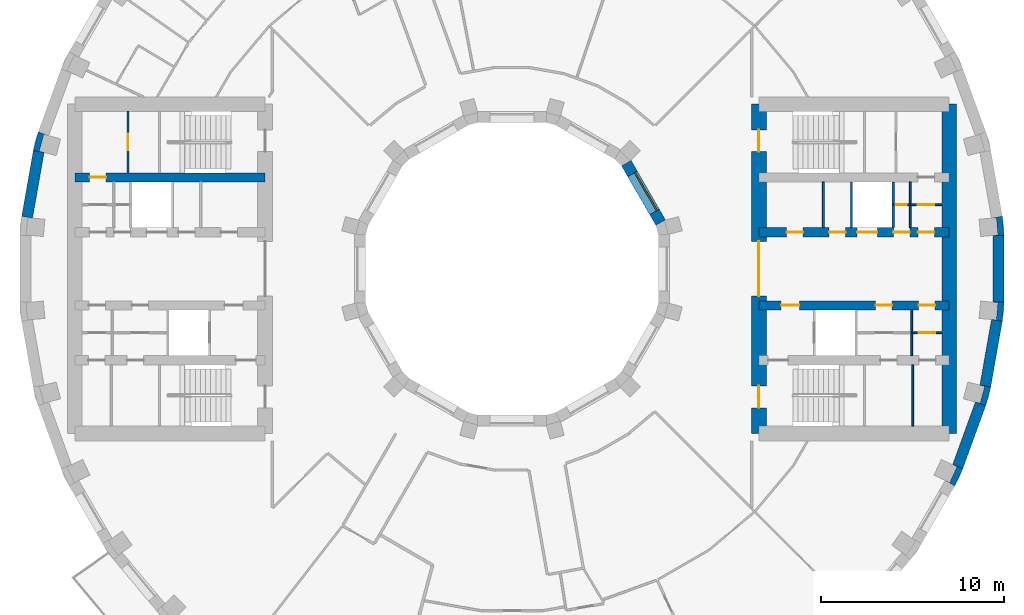
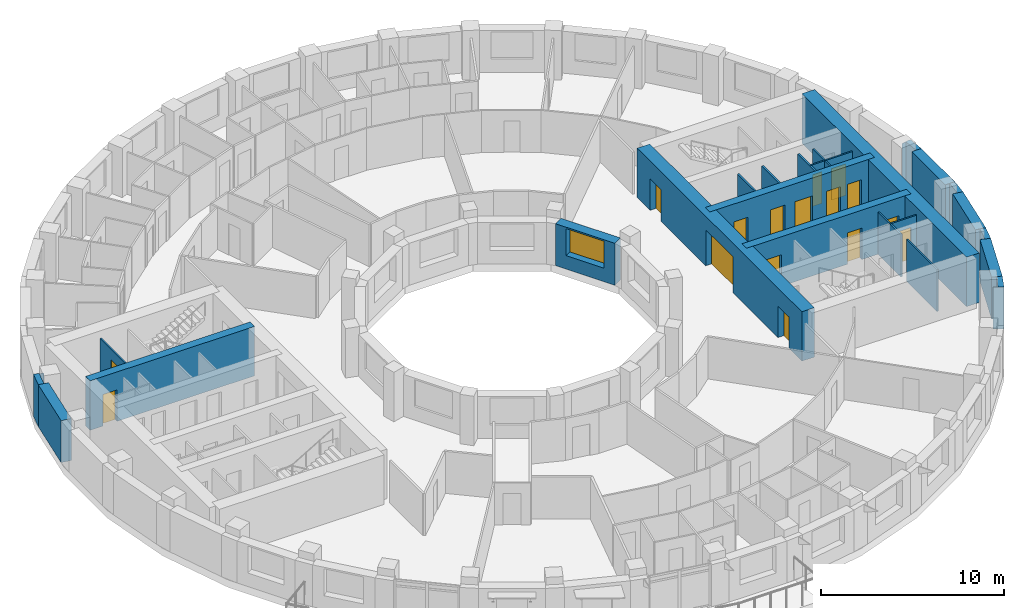
# One storey, part 8 of 14: 25 walls, 16 doors, 1 window, 17 openings.
"""IFC4 building model written with IfcOpenShell, lengths in metres."""

import ifcopenshell
import ifcopenshell.guid

model = None  # the IFC model being written
_history = None  # IfcOwnerHistory: only IFC2X3 demands one
_inside = {}  # id of a spatial element -> (the spatial element, [elements in it])
_under = {}  # id of a project, library or spatial element -> (it, [spatial elements below it])
_declared = {}  # id of a project -> (the project, [libraries it declares])
_typed = {}  # id of a type object -> (the type object, [elements of that type])
_made_of = {}  # id of a material, layer set ... -> (it, [elements and type objects made of it])


def new_model(schema):
    """Start an empty IFC model of exactly this schema.

    Asked for "IFC4X3", IfcOpenShell would pick the latest addendum, in which some entities
    have other attributes; the version numbers below select the first issue.
    IFC2X3 requires an IfcOwnerHistory on every rooted entity: one is made here for all.
    """
    global model, _history
    if schema == "IFC4X3":
        model = ifcopenshell.file(schema_version=(4, 3, 0, 0))
    else:
        model = ifcopenshell.file(schema=schema)
    _inside.clear()
    _under.clear()
    _declared.clear()
    _typed.clear()
    _made_of.clear()
    _history = None
    if model.schema == "IFC2X3":
        org = make("IfcOrganization", Name="unknown")
        user = make(
            "IfcPersonAndOrganization",
            ThePerson=make("IfcPerson", FamilyName="unknown"),
            TheOrganization=org,
        )
        app = make(
            "IfcApplication",
            ApplicationDeveloper=org,
            Version="unknown",
            ApplicationFullName="unknown",
            ApplicationIdentifier="unknown",
        )
        _history = make(
            "IfcOwnerHistory",
            OwningUser=user,
            OwningApplication=app,
            ChangeAction="ADDED",
            CreationDate=0,
        )
    return model


def make(cls, **values):
    """One entity of the class cls with the attributes given. An attribute that is None is left unset."""
    return model.create_entity(
        cls, **{name: value for name, value in values.items() if value is not None}
    )


def rooted(cls, **values):
    """An entity with a GlobalId (a new one), such as an element, a storey or a relation."""
    return make(cls, GlobalId=ifcopenshell.guid.new(), OwnerHistory=_history, **values)


def si_unit(unit_type, name, prefix=None):
    """IfcSIUnit, for example si_unit("LENGTHUNIT", "METRE", prefix="MILLI")."""
    return make("IfcSIUnit", UnitType=unit_type, Prefix=prefix, Name=name)


def assignment(units):
    """IfcUnitAssignment: the units of a project."""
    return None if units is None else make("IfcUnitAssignment", Units=units)


def point(xyz):
    """IfcCartesianPoint."""
    return None if xyz is None else make("IfcCartesianPoint", Coordinates=xyz)


def direction(xyz):
    """IfcDirection."""
    return None if xyz is None else make("IfcDirection", DirectionRatios=xyz)


def frame(location, z_axis=None, x_axis=None):
    """IfcAxis2Placement3D, a coordinate frame: its origin and axes. An axis left out is left unset."""
    return make(
        "IfcAxis2Placement3D",
        Location=point(location),
        Axis=direction(z_axis),
        RefDirection=direction(x_axis),
    )


def frame_2d(location, x_axis=None):
    """IfcAxis2Placement2D, a coordinate frame in the plane: its origin and x axis."""
    return make(
        "IfcAxis2Placement2D", Location=point(location), RefDirection=direction(x_axis)
    )


def origin():
    """The frame at (0, 0, 0) with its axes left unset."""
    return frame((0.0, 0.0, 0.0))


def place(relative_to, where):
    """IfcLocalPlacement: puts the frame where relative to a parent placement (None: the world)."""
    return make(
        "IfcLocalPlacement", PlacementRelTo=relative_to, RelativePlacement=where
    )


def context(
    kind, dimensions, precision=None, world=None, true_north=None, identifier=None
):
    """IfcGeometricRepresentationContext, for example the 3D "Model" context."""
    return make(
        "IfcGeometricRepresentationContext",
        ContextIdentifier=identifier,
        ContextType=kind,
        CoordinateSpaceDimension=dimensions,
        Precision=precision,
        WorldCoordinateSystem=world,
        TrueNorth=true_north,
    )


def subcontext(parent, identifier, kind, view, scale=None):
    """IfcGeometricRepresentationSubContext, for example "Body" below "Model"."""
    return make(
        "IfcGeometricRepresentationSubContext",
        ContextIdentifier=identifier,
        ContextType=kind,
        ParentContext=parent,
        TargetScale=scale,
        TargetView=view,
    )


def project(units=None, contexts=None):
    """IfcProject with its units and contexts."""
    return rooted(
        "IfcProject",
        Name="project",
        RepresentationContexts=contexts,
        UnitsInContext=assignment(units),
    )


def spatial(cls, under=None, at=None, **own):
    """A site, building, storey or space (cls), placed at a placement, below another one or the project."""
    s = rooted(cls, ObjectPlacement=at, **own)
    if under is not None:
        _under.setdefault(under.id(), (under, []))[1].append(s)
    return s


def polyline(points):
    """IfcPolyline through the points."""
    return make("IfcPolyline", Points=[point(p) for p in points])


def profile(cls, at=None, kind="AREA", **sizes):
    """A parametric profile (cls). Its sizes go by their IFC names, for example OverallWidth=200.0."""
    return make(cls, ProfileType=kind, Position=at, **sizes)


def rectangle(**sizes):
    """IfcRectangleProfileDef."""
    return profile("IfcRectangleProfileDef", **sizes)


def outline(outer, holes=None, kind="AREA"):
    """IfcArbitraryClosedProfileDef: a profile drawn as a closed curve; with holes, ...WithVoids."""
    if holes is None:
        return make("IfcArbitraryClosedProfileDef", ProfileType=kind, OuterCurve=outer)
    return make(
        "IfcArbitraryProfileDefWithVoids",
        ProfileType=kind,
        OuterCurve=outer,
        InnerCurves=holes,
    )


def extrude(swept, where, along, depth):
    """IfcExtrudedAreaSolid: the profile swept, set in the frame where, extruded along a direction by depth."""
    return make(
        "IfcExtrudedAreaSolid",
        SweptArea=swept,
        Position=where,
        ExtrudedDirection=direction(along),
        Depth=depth,
    )


def shape(context_of_items, identifier, shape_type, items):
    """IfcShapeRepresentation: the items that make up one representation, for example the "Body"."""
    return make(
        "IfcShapeRepresentation",
        ContextOfItems=context_of_items,
        RepresentationIdentifier=identifier,
        RepresentationType=shape_type,
        Items=items,
    )


def material(Name=None, Category=None):
    """IfcMaterial."""
    return make("IfcMaterial", Name=Name, Category=Category)


def layer(
    of_material, thickness, ventilated=None, Name=None, Category=None, Priority=None
):
    """IfcMaterialLayer: one layer of a wall or slab, of a material (None: an air gap)."""
    return make(
        "IfcMaterialLayer",
        Material=of_material,
        LayerThickness=thickness,
        IsVentilated=ventilated,
        Name=Name,
        Category=Category,
        Priority=Priority,
    )


def layer_set(layers, Name=None):
    """IfcMaterialLayerSet."""
    return make("IfcMaterialLayerSet", MaterialLayers=layers, LayerSetName=Name)


def made_of(thing, what):
    """Note that an element or type object is made of a material, layer set ...; save() writes the relation."""
    if what is not None:
        _made_of.setdefault(what.id(), (what, []))[1].append(thing)
    return thing


def type_object(cls, material=None, **own):
    """A type object (cls), such as IfcWallType, which elements share."""
    return made_of(rooted(cls, **own), material)


def element(
    cls,
    number,
    at=None,
    inside=None,
    cuts=None,
    type_object=None,
    material=None,
    context=None,
    identifier="Body",
    shape_type=None,
    held_by="IfcProductDefinitionShape",
    body=None,
    shapes=None,
    **own,
):
    """One element of the class cls, such as IfcWall. Its Tag is "e" and its number.

    at: its placement. inside: the storey or other place that contains it. cuts: it is an
    opening in that element (IfcRelVoidsElement). A single representation is given by context,
    identifier, shape_type and body (its items); several are given by shapes. held_by: the class
    of the entity that holds the representations. save() writes the other relations.
    """
    e = rooted(cls, Tag="e%d" % number, ObjectPlacement=at, **own)
    if body is not None:
        shapes = [shape(context, identifier, shape_type, body)]
    if shapes is not None:
        e.Representation = make(held_by, Representations=shapes)
    if inside is not None:
        _inside.setdefault(inside.id(), (inside, []))[1].append(e)
    if cuts is not None:
        rooted(
            "IfcRelVoidsElement", RelatingBuildingElement=cuts, RelatedOpeningElement=e
        )
    if type_object is not None:
        _typed.setdefault(type_object.id(), (type_object, []))[1].append(e)
    return made_of(e, material)


def fill(opening, filler):
    """IfcRelFillsElement: the door or window that sits in an opening."""
    return rooted(
        "IfcRelFillsElement",
        RelatingOpeningElement=opening,
        RelatedBuildingElement=filler,
    )


def aggregate(whole, parts):
    """IfcRelAggregates: a whole, such as a stair, and the parts it consists of."""
    return rooted("IfcRelAggregates", RelatingObject=whole, RelatedObjects=parts)


def save(model, path):
    """Write the relations noted so far, then the file.

    IfcRelAggregates (storeys below a building ...), IfcRelContainedInSpatialStructure (elements
    in a storey), IfcRelDefinesByType, IfcRelAssociatesMaterial and IfcRelDeclares: one each for
    every whole, place, type object, material and project.
    """
    for whole, parts in _under.values():
        aggregate(whole, parts)
    for where, things in _inside.values():
        rooted(
            "IfcRelContainedInSpatialStructure",
            RelatedElements=things,
            RelatingStructure=where,
        )
    for kind, things in _typed.values():
        rooted("IfcRelDefinesByType", RelatedObjects=things, RelatingType=kind)
    for what, things in _made_of.values():
        rooted("IfcRelAssociatesMaterial", RelatedObjects=things, RelatingMaterial=what)
    for by, libraries in _declared.values():
        rooted("IfcRelDeclares", RelatingContext=by, RelatedDefinitions=libraries)
    model.write(path)


model = new_model("IFC4")

# Units and contexts
model_context = context("Model", 3, precision=1e-05, world=origin(), true_north=direction((0.0, 1.0)))
body_context = subcontext(model_context, "Body", "Model", "MODEL_VIEW")
ifc_project = project(units=[si_unit("LENGTHUNIT", "METRE"), si_unit("AREAUNIT", "SQUARE_METRE"), si_unit("VOLUMEUNIT", "CUBIC_METRE"), si_unit("PLANEANGLEUNIT", "RADIAN"), si_unit("MASSUNIT", "GRAM", prefix="KILO")], contexts=[model_context])

# Site, building, storey
site_placement = place(None, origin())
site = spatial("IfcSite", under=ifc_project, at=site_placement, CompositionType="ELEMENT")
building_placement = place(site_placement, origin())
building = spatial("IfcBuilding", under=site, at=building_placement, Name="Saqina Gate Tower", CompositionType="ELEMENT")
storey_placement = place(building_placement, frame((0.0, 0.0, 138.10009765625)))
storey = spatial("IfcBuildingStorey", under=building, at=storey_placement, Name="L39", CompositionType="ELEMENT", Elevation=138.10009765625)

# Walls
ifc_material_1 = material(Name="Brick masonry (buff)", Category="masonry")
wall_type_1 = type_object("IfcWallType", Name="BRICK PIER COPING BUFF", PredefinedType="SOLIDWALL", material=ifc_material_1)
wall_1_placement = place(storey_placement, origin())
element("IfcWall", 1, at=wall_1_placement, inside=storey, type_object=wall_type_1, Name="Pier cap L39 column 1", PredefinedType="SOLIDWALL", context=body_context, shape_type="SweptSolid", body=[
    extrude(outline(polyline([(26.805419921875, 2.87451171875), (26.214599609375, 2.770263671875), (26.482421875, 2.793701171875), (26.565185546875, 1.847412109375), (26.29736328125, 1.823974609375), (26.897216796875, 1.823974609375), (26.805419921875, 2.87451171875)])), origin(), (0.0, 0.0, 1.0), 2.7998046875),
])
wall_2_placement = place(storey_placement, origin())
element("IfcWall", 2, at=wall_2_placement, inside=storey, type_object=wall_type_1, Name="Pier cap L39 column 17", PredefinedType="SOLIDWALL", context=body_context, shape_type="SweptSolid", body=[
    extrude(outline(polyline([(-25.89892578125, 7.485595703125), (-26.171875, 6.466796875), (-25.5810546875, 6.36279296875), (-25.8408203125, 6.43212890625), (-25.5947265625, 7.349853515625), (-25.335205078125, 7.2802734375), (-25.89892578125, 7.485595703125)])), origin(), (0.0, 0.0, 1.0), 2.7998046875),
])
wall_3_placement = place(storey_placement, origin())
element("IfcWall", 3, at=wall_3_placement, inside=storey, type_object=wall_type_1, Name="Pier cap L39 column 34", PredefinedType="SOLIDWALL", context=body_context, shape_type="SweptSolid", body=[
    extrude(outline(polyline([(24.6513671875, -10.913330078125), (24.08740234375, -10.7080078125), (24.331298828125, -10.82177734375), (23.9296875, -11.6826171875), (23.68603515625, -11.569091796875), (24.205810546875, -11.869140625), (24.6513671875, -10.913330078125)])), origin(), (0.0, 0.0, 1.0), 2.7998046875),
])
wall_4_placement = place(storey_placement, origin())
element("IfcWall", 4, at=wall_4_placement, inside=storey, type_object=wall_type_1, Name="Pier cap L39 column 35", PredefinedType="SOLIDWALL", context=body_context, shape_type="SweptSolid", body=[
    extrude(outline(polyline([(25.89892578125, -7.485595703125), (26.171875, -6.466796875), (25.5810546875, -6.36279296875), (25.8408203125, -6.43212890625), (25.5947265625, -7.349853515625), (25.335205078125, -7.2802734375), (25.89892578125, -7.485595703125)])), origin(), (0.0, 0.0, 1.0), 2.7998046875),
])
wall_5_placement = place(storey_placement, origin())
element("IfcWall", 5, at=wall_5_placement, inside=storey, type_object=wall_type_1, Name="Pier cap L39 column 36", PredefinedType="SOLIDWALL", context=body_context, shape_type="SweptSolid", body=[
    extrude(outline(polyline([(26.805419921875, -2.87451171875), (26.897216796875, -1.823974609375), (26.29736328125, -1.823974609375), (26.565185546875, -1.847412109375), (26.482421875, -2.793701171875), (26.214599609375, -2.770263671875), (26.805419921875, -2.87451171875)])), origin(), (0.0, 0.0, 1.0), 2.7998046875),
])
ifc_material_2 = material(Name="Gypsum board on steel studs", Category="steel")
ifc_layer_1 = layer(ifc_material_2, 0.10009765625)
ifc_layer_set_1 = layer_set([ifc_layer_1], Name="CORE PARTITION")
wall_type_2 = type_object("IfcWallType", Name="CORE PARTITION", PredefinedType="PARTITIONING", material=ifc_layer_set_1)
for number, where, z_axis, x_axis, name in (
    (6, (17.022216796875, 2.25, 0.0), (0.0, 0.0, 1.0), (0.0, 1.0, 0.0), "L39-CP-E01"),
    (7, (21.77099609375, 2.25, 0.0), (0.0, 0.0, 1.0), (0.0, 1.0, 0.0), "L39-CP-E04"),
    (8, (21.8583984375, -4.75, 0.0), (0.0, 0.0, 1.0), (0.0, 1.0, 0.0), "L39-CP-E07"),
):
    element("IfcWall", number, at=place(storey_placement, frame(where, z_axis=z_axis, x_axis=x_axis)), inside=storey, type_object=wall_type_2, Name=name, PredefinedType="PARTITIONING", context=body_context, shape_type="SweptSolid", body=[
        extrude(rectangle(XDim=2.5, YDim=0.10009765625, at=frame_2d((1.25, 0.0))), origin(), (0.0, 0.0, 1.0), 2.7998046875),
    ])

# Wall, opening, door
wall_6_placement = place(storey_placement, frame((20.840087890625, 3.5, 0.0), z_axis=(0.0, 0.0, 1.0), x_axis=(1.0, 0.0, 0.0)))
wall_6 = element("IfcWall", 9, at=wall_6_placement, inside=storey, type_object=wall_type_2, Name="L39-CP-E08", PredefinedType="PARTITIONING", context=body_context, shape_type="SweptSolid", body=[
    extrude(rectangle(XDim=0.930908203125, YDim=0.10009765625, at=frame_2d((0.46533203125, 0.0))), origin(), (0.0, 0.0, 1.0), 2.7998046875),
])
opening_1_placement = place(wall_6_placement, frame((0.14990234375, 0.0, 0.0)))
opening_1 = element("IfcOpeningElement", 10, at=opening_1_placement, cuts=wall_6, Name="Opening G11-D97", PredefinedType="OPENING", context=body_context, shape_type="SweptSolid", body=[
    extrude(rectangle(XDim=0.60009765625, YDim=2.10009765625, at=frame_2d((0.300048828125, 1.050048828125))), frame((0.0, 0.06201171875, 0.0), z_axis=(0.0, -1.0, 0.0), x_axis=(1.0, 0.0, 0.0)), (0.0, 0.0, 1.0), 0.1240234375),
])
ifc_material_3 = material(Name="Steel-framed fire door leaf, EI 60", Category="steel")
door_type_1 = type_object("IfcDoorType", Name="SERVICE ROOM DOOR 600", OperationType="SINGLE_SWING_LEFT", PredefinedType="DOOR", material=ifc_material_3)
door_1_placement = place(opening_1_placement, origin())
door_1 = element("IfcDoor", 11, at=door_1_placement, inside=storey, type_object=door_type_1, Name="L39-CD-E08", OperationType="SINGLE_SWING_LEFT", OverallHeight=2.10009765625, OverallWidth=0.60009765625, PredefinedType="DOOR", context=body_context, shape_type="SweptSolid", body=[
    extrude(rectangle(XDim=0.60009765625, YDim=2.10009765625, at=frame_2d((0.300048828125, 1.050048828125))), frame((0.0, 0.02490234375, 0.0), z_axis=(0.0, -1.0, 0.0), x_axis=(1.0, 0.0, 0.0)), (0.0, 0.0, 1.0), 0.050048828125),
])
fill(opening_1, door_1)

wall_7_placement = place(storey_placement, frame((21.77099609375, 3.5, 0.0), z_axis=(0.0, 0.0, 1.0), x_axis=(1.0, 0.0, 0.0)))
wall_7 = element("IfcWall", 12, at=wall_7_placement, inside=storey, type_object=wall_type_2, Name="L39-CP-E09", PredefinedType="PARTITIONING", context=body_context, shape_type="SweptSolid", body=[
    extrude(rectangle(XDim=1.72900390625, YDim=0.10009765625, at=frame_2d((0.864501953125, 0.0))), origin(), (0.0, 0.0, 1.0), 2.7998046875),
])
opening_2_placement = place(wall_7_placement, frame((0.41455078125, 0.0, 0.0)))
opening_2 = element("IfcOpeningElement", 13, at=opening_2_placement, cuts=wall_7, Name="Opening G11-D98", PredefinedType="OPENING", context=body_context, shape_type="SweptSolid", body=[
    extrude(rectangle(XDim=0.89990234375, YDim=2.10009765625, at=frame_2d((0.449951171875, 1.050048828125))), frame((0.0, 0.06201171875, 0.0), z_axis=(0.0, -1.0, 0.0), x_axis=(1.0, 0.0, 0.0)), (0.0, 0.0, 1.0), 0.1240234375),
])
ifc_material_4 = material(Name="Steel-framed fire door leaf, EI 60", Category="steel")
door_type_2 = type_object("IfcDoorType", Name="SERVICE ROOM DOOR 900", OperationType="SINGLE_SWING_LEFT", PredefinedType="DOOR", material=ifc_material_4)
door_2_placement = place(opening_2_placement, origin())
door_2 = element("IfcDoor", 14, at=door_2_placement, inside=storey, type_object=door_type_2, Name="L39-CD-E09", OperationType="SINGLE_SWING_RIGHT", OverallHeight=2.10009765625, OverallWidth=0.89990234375, PredefinedType="DOOR", context=body_context, shape_type="SweptSolid", body=[
    extrude(rectangle(XDim=0.89990234375, YDim=2.10009765625, at=frame_2d((0.449951171875, 1.050048828125))), frame((0.0, 0.02490234375, 0.0), z_axis=(0.0, -1.0, 0.0), x_axis=(1.0, 0.0, 0.0)), (0.0, 0.0, 1.0), 0.050048828125),
])
fill(opening_2, door_2)

wall_8_placement = place(storey_placement, frame((21.8583984375, -3.5, 0.0), z_axis=(0.0, 0.0, 1.0), x_axis=(1.0, 0.0, 0.0)))
wall_8 = element("IfcWall", 15, at=wall_8_placement, inside=storey, type_object=wall_type_2, Name="L39-CP-E11", PredefinedType="PARTITIONING", context=body_context, shape_type="SweptSolid", body=[
    extrude(rectangle(XDim=1.6416015625, YDim=0.10009765625, at=frame_2d((0.82080078125, 0.0))), origin(), (0.0, 0.0, 1.0), 2.7998046875),
])
opening_3_placement = place(wall_8_placement, frame((0.370849609375, 0.0, 0.0)))
opening_3 = element("IfcOpeningElement", 16, at=opening_3_placement, cuts=wall_8, Name="Opening G11-D101", PredefinedType="OPENING", context=body_context, shape_type="SweptSolid", body=[
    extrude(rectangle(XDim=0.89990234375, YDim=2.10009765625, at=frame_2d((0.449951171875, 1.050048828125))), frame((0.0, 0.06201171875, 0.0), z_axis=(0.0, -1.0, 0.0), x_axis=(1.0, 0.0, 0.0)), (0.0, 0.0, 1.0), 0.1240234375),
])
door_3_placement = place(opening_3_placement, frame((0.89990234375, 0.0, 0.0), z_axis=(0.0, 0.0, 1.0), x_axis=(-1.0, 0.0, 0.0)))
door_3 = element("IfcDoor", 17, at=door_3_placement, inside=storey, type_object=door_type_2, Name="L39-CD-E12", OperationType="SINGLE_SWING_LEFT", OverallHeight=2.10009765625, OverallWidth=0.89990234375, PredefinedType="DOOR", context=body_context, shape_type="SweptSolid", body=[
    extrude(rectangle(XDim=0.89990234375, YDim=2.10009765625, at=frame_2d((0.449951171875, 1.050048828125))), frame((0.0, 0.02490234375, 0.0), z_axis=(0.0, -1.0, 0.0), x_axis=(1.0, 0.0, 0.0)), (0.0, 0.0, 1.0), 0.050048828125),
])
fill(opening_3, door_3)

# Wall
wall_9_placement = place(storey_placement, frame((21.91162109375, -8.60009765625, 0.0), z_axis=(0.0, 0.0, 1.0), x_axis=(0.0, 1.0, 0.0)))
element("IfcWall", 18, at=wall_9_placement, inside=storey, type_object=wall_type_2, Name="L39-CP-E15", PredefinedType="PARTITIONING", context=body_context, shape_type="SweptSolid", body=[
    extrude(rectangle(XDim=3.35009765625, YDim=0.10009765625, at=frame_2d((1.675048828125, 0.0))), origin(), (0.0, 0.0, 1.0), 2.7998046875),
])

# Wall, opening, door
wall_10_placement = place(storey_placement, frame((-20.991943359375, 5.25, 0.0), z_axis=(0.0, 0.0, 1.0), x_axis=(0.0, 1.0, 0.0)))
wall_10 = element("IfcWall", 19, at=wall_10_placement, inside=storey, type_object=wall_type_2, Name="L39-CP-W13", PredefinedType="PARTITIONING", context=body_context, shape_type="SweptSolid", body=[
    extrude(rectangle(XDim=3.35009765625, YDim=0.10009765625, at=frame_2d((1.675048828125, 0.0))), origin(), (0.0, 0.0, 1.0), 2.7998046875),
])
opening_4_placement = place(wall_10_placement, frame((1.22509765625, 0.0, 0.0)))
opening_4 = element("IfcOpeningElement", 20, at=opening_4_placement, cuts=wall_10, Name="Opening G11-D118", PredefinedType="OPENING", context=body_context, shape_type="SweptSolid", body=[
    extrude(rectangle(XDim=0.89990234375, YDim=2.10009765625, at=frame_2d((0.449951171875, 1.050048828125))), frame((0.0, 0.06201171875, 0.0), z_axis=(0.0, -1.0, 0.0), x_axis=(1.0, 0.0, 0.0)), (0.0, 0.0, 1.0), 0.1240234375),
])
door_4_placement = place(opening_4_placement, origin())
door_4 = element("IfcDoor", 21, at=door_4_placement, inside=storey, type_object=door_type_2, Name="L39-CD-W29", OperationType="SINGLE_SWING_RIGHT", OverallHeight=2.10009765625, OverallWidth=0.89990234375, PredefinedType="DOOR", context=body_context, shape_type="SweptSolid", body=[
    extrude(rectangle(XDim=0.89990234375, YDim=2.10009765625, at=frame_2d((0.449951171875, 1.050048828125))), frame((0.0, 0.02490234375, 0.0), z_axis=(0.0, -1.0, 0.0), x_axis=(1.0, 0.0, 0.0)), (0.0, 0.0, 1.0), 0.050048828125),
])
fill(opening_4, door_4)

# Walls
ifc_material_5 = material(Name="Glazed ceramic tile", Category="ceramic")
ifc_layer_2 = layer(ifc_material_5, 0.60009765625)
ifc_layer_set_2 = layer_set([ifc_layer_2], Name="FW-TILE")
wall_type_3 = type_object("IfcWallType", Name="FW-TILE", PredefinedType="SOLIDWALL", material=ifc_layer_set_2)
for number, where, z_axis, x_axis, name in (
    (22, (24.369384765625, -10.810791015625, 0.0), (0.0, 0.0, 1.0), (0.341990236633, 0.939703505393, 0.0), "Facade wall L39 facet 34"),
    (23, (26.59716796875, -1.823974609375, 0.0), (0.0, 0.0, 1.0), (0.0, 1.0, 0.0), "Facade wall L39 facet 36"),
):
    element("IfcWall", number, at=place(storey_placement, frame(where, z_axis=z_axis, x_axis=x_axis)), inside=storey, type_object=wall_type_3, Name=name, PredefinedType="SOLIDWALL", context=body_context, shape_type="SweptSolid", body=[
        extrude(rectangle(XDim=3.64794921875, YDim=0.60009765625, at=frame_2d((1.823974609375, 0.0))), origin(), (0.0, 0.0, 1.0), 2.7998046875),
    ])
ifc_material_6 = material(Name="Glazed ceramic tile (dark blue)", Category="ceramic")
ifc_layer_3 = layer(ifc_material_6, 0.60009765625)
ifc_layer_set_3 = layer_set([ifc_layer_3], Name="FW-TILE-CB")
wall_type_4 = type_object("IfcWallType", Name="FW-TILE-CB", PredefinedType="SOLIDWALL", material=ifc_layer_set_3)
wall_11_placement = place(storey_placement, frame((25.87646484375, -6.414794921875, 0.0), z_axis=(0.0, 0.0, 1.0), x_axis=(0.173670796382, 0.984803764455, 0.0)))
element("IfcWall", 24, at=wall_11_placement, inside=storey, type_object=wall_type_4, Name="Facade wall L39 facet 35", PredefinedType="SOLIDWALL", context=body_context, shape_type="SweptSolid", body=[
    extrude(rectangle(XDim=3.64794921875, YDim=0.60009765625, at=frame_2d((1.823974609375, 0.0))), origin(), (0.0, 0.0, 1.0), 2.7998046875),
])
ifc_material_7 = material(Name="Glazed ceramic tile (white)", Category="ceramic")
ifc_layer_4 = layer(ifc_material_7, 0.60009765625)
ifc_layer_set_4 = layer_set([ifc_layer_4], Name="FW-TILE-WH")
wall_type_5 = type_object("IfcWallType", Name="FW-TILE-WH", PredefinedType="SOLIDWALL", material=ifc_layer_set_4)
wall_12_placement = place(storey_placement, frame((-25.87646484375, 6.414794921875, 0.0), z_axis=(0.0, 0.0, 1.0), x_axis=(-0.173670796382, -0.984803764455, 0.0)))
element("IfcWall", 25, at=wall_12_placement, inside=storey, type_object=wall_type_5, Name="Facade wall L39 facet 17", PredefinedType="SOLIDWALL", context=body_context, shape_type="SweptSolid", body=[
    extrude(rectangle(XDim=3.64794921875, YDim=0.60009765625, at=frame_2d((1.823974609375, 0.0))), origin(), (0.0, 0.0, 1.0), 2.7998046875),
])

# Wall, opening, window
ifc_material_8 = material(Name="Glazed ceramic tile", Category="ceramic")
ifc_layer_5 = layer(ifc_material_8, 0.60009765625)
ifc_layer_set_5 = layer_set([ifc_layer_5], Name="IW-TILE")
wall_type_6 = type_object("IfcWallType", Name="IW-TILE", PredefinedType="SOLIDWALL", material=ifc_layer_set_5)
wall_13_placement = place(storey_placement, frame((8.124755859375, 2.52734375, 0.0), z_axis=(0.0, 0.0, 1.0), x_axis=(-0.499964958637, 0.86604563398, 0.0)))
wall_13 = element("IfcWall", 26, at=wall_13_placement, inside=storey, type_object=wall_type_6, Name="Well wall L39 facet 1", PredefinedType="SOLIDWALL", context=body_context, shape_type="SweptSolid", body=[
    extrude(rectangle(XDim=3.747314453125, YDim=0.60009765625, at=frame_2d((1.87353515625, 0.0))), origin(), (0.0, 0.0, 1.0), 2.7998046875),
])
opening_5_placement = place(wall_13_placement, frame((0.673583984375, 0.0, 0.89990234375)))
opening_5 = element("IfcOpeningElement", 27, at=opening_5_placement, cuts=wall_13, Name="Opening G11-W23", PredefinedType="OPENING", context=body_context, shape_type="SweptSolid", body=[
    extrude(rectangle(XDim=2.39990234375, YDim=1.800048828125, at=frame_2d((1.199951171875, 0.89990234375))), frame((0.0, 0.31201171875, 0.0), z_axis=(0.0, -1.0, 0.0), x_axis=(1.0, 0.0, 0.0)), (0.0, 0.0, 1.0), 0.6240234375),
])
ifc_material_9 = material(Name="Aluminium glazing", Category="aluminium")
window_type = type_object("IfcWindowType", Name="WN-W", PartitioningType="SINGLE_PANEL", PredefinedType="WINDOW", material=ifc_material_9)
window_placement = place(opening_5_placement, origin())
window = element("IfcWindow", 28, at=window_placement, inside=storey, type_object=window_type, Name="Well window L39 facet 1", OverallHeight=1.800048828125, OverallWidth=2.39990234375, PartitioningType="SINGLE_PANEL", PredefinedType="WINDOW", context=body_context, shape_type="SweptSolid", body=[
    extrude(rectangle(XDim=2.39990234375, YDim=1.800048828125, at=frame_2d((1.199951171875, 0.89990234375))), frame((0.0, -0.119873046875, 0.0), z_axis=(0.0, -1.0, 0.0), x_axis=(1.0, 0.0, 0.0)), (0.0, 0.0, 1.0), 0.06005859375),
])
fill(opening_5, window)

# Walls
ifc_material_10 = material(Name="Autoclaved aerated concrete block", Category="concrete")
ifc_layer_6 = layer(ifc_material_10, 0.1201171875)
ifc_layer_set_6 = layer_set([ifc_layer_6], Name="SHAFT PARTITION")
wall_type_7 = type_object("IfcWallType", Name="SHAFT PARTITION", PredefinedType="PARTITIONING", material=ifc_layer_set_6)
for number, where, z_axis, x_axis, name in (
    (29, (18.56005859375, 2.25, 0.0), (0.0, 0.0, 1.0), (0.0, 1.0, 0.0), "L39-CP-E02"),
    (30, (20.840087890625, 2.25, 0.0), (0.0, 0.0, 1.0), (0.0, 1.0, 0.0), "L39-CP-E03"),
):
    element("IfcWall", number, at=place(storey_placement, frame(where, z_axis=z_axis, x_axis=x_axis)), inside=storey, type_object=wall_type_7, Name=name, PredefinedType="PARTITIONING", context=body_context, shape_type="SweptSolid", body=[
        extrude(rectangle(XDim=2.5, YDim=0.1201171875, at=frame_2d((1.25, 0.0))), origin(), (0.0, 0.0, 1.0), 2.7998046875),
    ])

# Wall, openings, doors
ifc_material_11 = material(Name="Concrete C70/85", Category="concrete")
ifc_layer_7 = layer(ifc_material_11, 0.5)
ifc_layer_set_7 = layer_set([ifc_layer_7], Name="Concrete C70/85")
wall_type_8 = type_object("IfcWallType", Name="STR-CORE WALL-B-I", PredefinedType="SHEAR", material=ifc_layer_set_7)
wall_14_placement = place(storey_placement, frame((13.5, 2.0, 0.0), z_axis=(0.0, 0.0, 1.0), x_axis=(1.0, 0.0, 0.0)))
wall_14 = element("IfcWall", 31, at=wall_14_placement, inside=storey, type_object=wall_type_8, Name="CORE WALL L39 E-L1", PredefinedType="SHEAR", context=body_context, shape_type="SweptSolid", body=[
    extrude(rectangle(XDim=10.39990234375, YDim=0.5, at=frame_2d((5.199951171875, 0.0))), origin(), (0.0, 0.0, 1.0), 3.2998046875),
])
opening_6_placement = place(wall_14_placement, frame((5.3701171875, 0.0, 0.0)))
opening_6 = element("IfcOpeningElement", 32, at=opening_6_placement, cuts=wall_14, Name="Opening G11-LD1", PredefinedType="OPENING", context=body_context, shape_type="SweptSolid", body=[
    extrude(rectangle(XDim=1.10009765625, YDim=2.10009765625, at=frame_2d((0.550048828125, 1.050048828125))), frame((0.0, 0.261962890625, 0.0), z_axis=(0.0, -1.0, 0.0), x_axis=(1.0, 0.0, 0.0)), (0.0, 0.0, 1.0), 0.52392578125),
])
opening_7_placement = place(wall_14_placement, frame((1.510986328125, 0.0, 0.0)))
opening_7 = element("IfcOpeningElement", 33, at=opening_7_placement, cuts=wall_14, Name="Opening G11-D90", PredefinedType="OPENING", context=body_context, shape_type="SweptSolid", body=[
    extrude(rectangle(XDim=0.89990234375, YDim=2.10009765625, at=frame_2d((0.449951171875, 1.050048828125))), frame((0.0, 0.261962890625, 0.0), z_axis=(0.0, -1.0, 0.0), x_axis=(1.0, 0.0, 0.0)), (0.0, 0.0, 1.0), 0.52392578125),
])
opening_8_placement = place(wall_14_placement, frame((3.841064453125, 0.0, 0.0)))
opening_8 = element("IfcOpeningElement", 34, at=opening_8_placement, cuts=wall_14, Name="Opening G11-D91", PredefinedType="OPENING", context=body_context, shape_type="SweptSolid", body=[
    extrude(rectangle(XDim=0.89990234375, YDim=2.10009765625, at=frame_2d((0.449951171875, 1.050048828125))), frame((0.0, 0.261962890625, 0.0), z_axis=(0.0, -1.0, 0.0), x_axis=(1.0, 0.0, 0.0)), (0.0, 0.0, 1.0), 0.52392578125),
])
opening_9_placement = place(wall_14_placement, frame((7.35546875, 0.0, 0.0)))
opening_9 = element("IfcOpeningElement", 35, at=opening_9_placement, cuts=wall_14, Name="Opening G11-D92", PredefinedType="OPENING", context=body_context, shape_type="SweptSolid", body=[
    extrude(rectangle(XDim=0.89990234375, YDim=2.10009765625, at=frame_2d((0.449951171875, 1.050048828125))), frame((0.0, 0.261962890625, 0.0), z_axis=(0.0, -1.0, 0.0), x_axis=(1.0, 0.0, 0.0)), (0.0, 0.0, 1.0), 0.52392578125),
])
opening_10_placement = place(wall_14_placement, frame((8.685546875, 0.0, 0.0)))
opening_10 = element("IfcOpeningElement", 36, at=opening_10_placement, cuts=wall_14, Name="Opening G11-D93", PredefinedType="OPENING", context=body_context, shape_type="SweptSolid", body=[
    extrude(rectangle(XDim=0.89990234375, YDim=2.10009765625, at=frame_2d((0.449951171875, 1.050048828125))), frame((0.0, 0.261962890625, 0.0), z_axis=(0.0, -1.0, 0.0), x_axis=(1.0, 0.0, 0.0)), (0.0, 0.0, 1.0), 0.52392578125),
])
ifc_material_12 = material(Name="Stainless steel", Category="steel")
door_type_3 = type_object("IfcDoorType", Name="LANDING DOOR", OperationType="DOUBLE_DOOR_SLIDING", PredefinedType="DOOR", material=ifc_material_12)
door_5_placement = place(opening_6_placement, origin())
door_5 = element("IfcDoor", 37, at=door_5_placement, inside=storey, type_object=door_type_3, Name="LANDING DOOR MR1", OperationType="DOUBLE_DOOR_SLIDING", OverallHeight=2.10009765625, OverallWidth=1.10009765625, PredefinedType="DOOR", context=body_context, shape_type="SweptSolid", body=[
    extrude(rectangle(XDim=1.10009765625, YDim=2.10009765625, at=frame_2d((0.550048828125, 1.050048828125))), frame((0.0, 0.02490234375, 0.0), z_axis=(0.0, -1.0, 0.0), x_axis=(1.0, 0.0, 0.0)), (0.0, 0.0, 1.0), 0.050048828125),
])
fill(opening_6, door_5)
door_6_placement = place(opening_7_placement, origin())
door_6 = element("IfcDoor", 38, at=door_6_placement, inside=storey, type_object=door_type_2, Name="L39-CD-E01", OperationType="SINGLE_SWING_LEFT", OverallHeight=2.10009765625, OverallWidth=0.89990234375, PredefinedType="DOOR", context=body_context, shape_type="SweptSolid", body=[
    extrude(rectangle(XDim=0.89990234375, YDim=2.10009765625, at=frame_2d((0.449951171875, 1.050048828125))), frame((0.0, 0.02490234375, 0.0), z_axis=(0.0, -1.0, 0.0), x_axis=(1.0, 0.0, 0.0)), (0.0, 0.0, 1.0), 0.050048828125),
])
fill(opening_7, door_6)
door_7_placement = place(opening_8_placement, origin())
door_7 = element("IfcDoor", 39, at=door_7_placement, inside=storey, type_object=door_type_2, Name="L39-CD-E02", OperationType="SINGLE_SWING_RIGHT", OverallHeight=2.10009765625, OverallWidth=0.89990234375, PredefinedType="DOOR", context=body_context, shape_type="SweptSolid", body=[
    extrude(rectangle(XDim=0.89990234375, YDim=2.10009765625, at=frame_2d((0.449951171875, 1.050048828125))), frame((0.0, 0.02490234375, 0.0), z_axis=(0.0, -1.0, 0.0), x_axis=(1.0, 0.0, 0.0)), (0.0, 0.0, 1.0), 0.050048828125),
])
fill(opening_8, door_7)
door_8_placement = place(opening_9_placement, origin())
door_8 = element("IfcDoor", 40, at=door_8_placement, inside=storey, type_object=door_type_2, Name="L39-CD-E03", OperationType="SINGLE_SWING_LEFT", OverallHeight=2.10009765625, OverallWidth=0.89990234375, PredefinedType="DOOR", context=body_context, shape_type="SweptSolid", body=[
    extrude(rectangle(XDim=0.89990234375, YDim=2.10009765625, at=frame_2d((0.449951171875, 1.050048828125))), frame((0.0, 0.02490234375, 0.0), z_axis=(0.0, -1.0, 0.0), x_axis=(1.0, 0.0, 0.0)), (0.0, 0.0, 1.0), 0.050048828125),
])
fill(opening_9, door_8)
door_9_placement = place(opening_10_placement, origin())
door_9 = element("IfcDoor", 41, at=door_9_placement, inside=storey, type_object=door_type_2, Name="L39-CD-E04", OperationType="SINGLE_SWING_RIGHT", OverallHeight=2.10009765625, OverallWidth=0.89990234375, PredefinedType="DOOR", context=body_context, shape_type="SweptSolid", body=[
    extrude(rectangle(XDim=0.89990234375, YDim=2.10009765625, at=frame_2d((0.449951171875, 1.050048828125))), frame((0.0, 0.02490234375, 0.0), z_axis=(0.0, -1.0, 0.0), x_axis=(1.0, 0.0, 0.0)), (0.0, 0.0, 1.0), 0.050048828125),
])
fill(opening_10, door_9)

wall_15_placement = place(storey_placement, frame((13.5, -2.0, 0.0), z_axis=(0.0, 0.0, 1.0), x_axis=(1.0, 0.0, 0.0)))
wall_15 = element("IfcWall", 42, at=wall_15_placement, inside=storey, type_object=wall_type_8, Name="CORE WALL L39 E-L2", PredefinedType="SHEAR", context=body_context, shape_type="SweptSolid", body=[
    extrude(rectangle(XDim=10.39990234375, YDim=0.5, at=frame_2d((5.199951171875, 0.0))), origin(), (0.0, 0.0, 1.0), 3.2998046875),
])
opening_11_placement = place(wall_15_placement, frame((1.215087890625, 0.0, 0.0)))
opening_11 = element("IfcOpeningElement", 43, at=opening_11_placement, cuts=wall_15, Name="Opening G11-D94", PredefinedType="OPENING", context=body_context, shape_type="SweptSolid", body=[
    extrude(rectangle(XDim=1.0, YDim=2.10009765625, at=frame_2d((0.5, 1.050048828125))), frame((0.0, 0.261962890625, 0.0), z_axis=(0.0, -1.0, 0.0), x_axis=(1.0, 0.0, 0.0)), (0.0, 0.0, 1.0), 0.52392578125),
])
opening_12_placement = place(wall_15_placement, frame((6.38427734375, 0.0, 0.0)))
opening_12 = element("IfcOpeningElement", 44, at=opening_12_placement, cuts=wall_15, Name="Opening G11-D95", PredefinedType="OPENING", context=body_context, shape_type="SweptSolid", body=[
    extrude(rectangle(XDim=0.89990234375, YDim=2.10009765625, at=frame_2d((0.449951171875, 1.050048828125))), frame((0.0, 0.261962890625, 0.0), z_axis=(0.0, -1.0, 0.0), x_axis=(1.0, 0.0, 0.0)), (0.0, 0.0, 1.0), 0.52392578125),
])
opening_13_placement = place(wall_15_placement, frame((8.729248046875, 0.0, 0.0)))
opening_13 = element("IfcOpeningElement", 45, at=opening_13_placement, cuts=wall_15, Name="Opening G11-D96", PredefinedType="OPENING", context=body_context, shape_type="SweptSolid", body=[
    extrude(rectangle(XDim=0.89990234375, YDim=2.10009765625, at=frame_2d((0.449951171875, 1.050048828125))), frame((0.0, 0.261962890625, 0.0), z_axis=(0.0, -1.0, 0.0), x_axis=(1.0, 0.0, 0.0)), (0.0, 0.0, 1.0), 0.52392578125),
])
ifc_material_13 = material(Name="Steel", Category="steel")
door_type_4 = type_object("IfcDoorType", Name="FIRE LOBBY DOOR EI 60", OperationType="SINGLE_SWING_LEFT", PredefinedType="DOOR", material=ifc_material_13)
door_10_placement = place(opening_11_placement, origin())
door_10 = element("IfcDoor", 46, at=door_10_placement, inside=storey, type_object=door_type_4, Name="L39-CD-E05", OperationType="SINGLE_SWING_LEFT", OverallHeight=2.10009765625, OverallWidth=1.0, PredefinedType="DOOR", context=body_context, shape_type="SweptSolid", body=[
    extrude(rectangle(XDim=1.0, YDim=2.10009765625, at=frame_2d((0.5, 1.050048828125))), frame((0.0, 0.02490234375, 0.0), z_axis=(0.0, -1.0, 0.0), x_axis=(1.0, 0.0, 0.0)), (0.0, 0.0, 1.0), 0.050048828125),
])
fill(opening_11, door_10)
door_11_placement = place(opening_12_placement, frame((0.89990234375, 0.0, 0.0), z_axis=(0.0, 0.0, 1.0), x_axis=(-1.0, 0.0, 0.0)))
door_11 = element("IfcDoor", 47, at=door_11_placement, inside=storey, type_object=door_type_2, Name="L39-CD-E06", OperationType="SINGLE_SWING_LEFT", OverallHeight=2.10009765625, OverallWidth=0.89990234375, PredefinedType="DOOR", context=body_context, shape_type="SweptSolid", body=[
    extrude(rectangle(XDim=0.89990234375, YDim=2.10009765625, at=frame_2d((0.449951171875, 1.050048828125))), frame((0.0, 0.02490234375, 0.0), z_axis=(0.0, -1.0, 0.0), x_axis=(1.0, 0.0, 0.0)), (0.0, 0.0, 1.0), 0.050048828125),
])
fill(opening_12, door_11)
door_12_placement = place(opening_13_placement, frame((0.89990234375, 0.0, 0.0), z_axis=(0.0, 0.0, 1.0), x_axis=(-1.0, 0.0, 0.0)))
door_12 = element("IfcDoor", 48, at=door_12_placement, inside=storey, type_object=door_type_2, Name="L39-CD-E07", OperationType="SINGLE_SWING_LEFT", OverallHeight=2.10009765625, OverallWidth=0.89990234375, PredefinedType="DOOR", context=body_context, shape_type="SweptSolid", body=[
    extrude(rectangle(XDim=0.89990234375, YDim=2.10009765625, at=frame_2d((0.449951171875, 1.050048828125))), frame((0.0, 0.02490234375, 0.0), z_axis=(0.0, -1.0, 0.0), x_axis=(1.0, 0.0, 0.0)), (0.0, 0.0, 1.0), 0.050048828125),
])
fill(opening_13, door_12)

# Wall, opening, door
wall_16_placement = place(storey_placement, frame((-13.5, 5.0, 0.0), z_axis=(0.0, 0.0, 1.0), x_axis=(-1.0, 0.0, 0.0)))
wall_16 = element("IfcWall", 49, at=wall_16_placement, inside=storey, type_object=wall_type_8, Name="CORE WALL L39 W-X1", PredefinedType="SHEAR", context=body_context, shape_type="SweptSolid", body=[
    extrude(rectangle(XDim=10.39990234375, YDim=0.5, at=frame_2d((5.199951171875, 0.0))), origin(), (0.0, 0.0, 1.0), 3.2998046875),
])
opening_14_placement = place(wall_16_placement, frame((8.685546875, 0.0, 0.0)))
opening_14 = element("IfcOpeningElement", 50, at=opening_14_placement, cuts=wall_16, Name="Opening G11-D119", PredefinedType="OPENING", context=body_context, shape_type="SweptSolid", body=[
    extrude(rectangle(XDim=0.89990234375, YDim=2.10009765625, at=frame_2d((0.449951171875, 1.050048828125))), frame((0.0, 0.261962890625, 0.0), z_axis=(0.0, -1.0, 0.0), x_axis=(1.0, 0.0, 0.0)), (0.0, 0.0, 1.0), 0.52392578125),
])
door_13_placement = place(opening_14_placement, frame((0.89990234375, 0.0, 0.0), z_axis=(0.0, 0.0, 1.0), x_axis=(-1.0, 0.0, 0.0)))
door_13 = element("IfcDoor", 51, at=door_13_placement, inside=storey, type_object=door_type_2, Name="L39-CD-W30", OperationType="SINGLE_SWING_LEFT", OverallHeight=2.10009765625, OverallWidth=0.89990234375, PredefinedType="DOOR", context=body_context, shape_type="SweptSolid", body=[
    extrude(rectangle(XDim=0.89990234375, YDim=2.10009765625, at=frame_2d((0.449951171875, 1.050048828125))), frame((0.0, 0.02490234375, 0.0), z_axis=(0.0, -1.0, 0.0), x_axis=(1.0, 0.0, 0.0)), (0.0, 0.0, 1.0), 0.050048828125),
])
fill(opening_14, door_13)

# Wall, openings, doors
ifc_material_14 = material(Name="Concrete C70/85", Category="concrete")
ifc_layer_8 = layer(ifc_material_14, 0.800048828125)
ifc_layer_set_8 = layer_set([ifc_layer_8], Name="Concrete C70/85")
wall_type_9 = type_object("IfcWallType", Name="STR-CORE WALL-B-O", PredefinedType="SHEAR", material=ifc_layer_set_8)
wall_17_placement = place(storey_placement, frame((13.5, -9.0, 0.0), z_axis=(0.0, 0.0, 1.0), x_axis=(0.0, 1.0, 0.0)))
wall_17 = element("IfcWall", 52, at=wall_17_placement, inside=storey, type_object=wall_type_9, Name="CORE WALL L39 E-W1", PredefinedType="SHEAR", context=body_context, shape_type="SweptSolid", body=[
    extrude(rectangle(XDim=18.0, YDim=0.800048828125, at=frame_2d((9.0, 0.0))), origin(), (0.0, 0.0, 1.0), 3.2998046875),
])
opening_15_placement = place(wall_17_placement, frame((15.39990234375, 0.0, 0.0)))
opening_15 = element("IfcOpeningElement", 53, at=opening_15_placement, cuts=wall_17, Name="Opening G11-D106", PredefinedType="OPENING", context=body_context, shape_type="SweptSolid", body=[
    extrude(rectangle(XDim=1.199951171875, YDim=2.10009765625, at=frame_2d((0.60009765625, 1.050048828125))), frame((0.0, 0.412109375, 0.0), z_axis=(0.0, -1.0, 0.0), x_axis=(1.0, 0.0, 0.0)), (0.0, 0.0, 1.0), 0.823974609375),
])
opening_16_placement = place(wall_17_placement, frame((1.39990234375, 0.0, 0.0)))
opening_16 = element("IfcOpeningElement", 54, at=opening_16_placement, cuts=wall_17, Name="Opening G11-D107", PredefinedType="OPENING", context=body_context, shape_type="SweptSolid", body=[
    extrude(rectangle(XDim=1.199951171875, YDim=2.10009765625, at=frame_2d((0.60009765625, 1.050048828125))), frame((0.0, 0.412109375, 0.0), z_axis=(0.0, -1.0, 0.0), x_axis=(1.0, 0.0, 0.0)), (0.0, 0.0, 1.0), 0.823974609375),
])
opening_17_placement = place(wall_17_placement, frame((7.5, 0.0, 0.0)))
opening_17 = element("IfcOpeningElement", 55, at=opening_17_placement, cuts=wall_17, Name="Opening G11-D108", PredefinedType="OPENING", context=body_context, shape_type="SweptSolid", body=[
    extrude(rectangle(XDim=3.0, YDim=2.39990234375, at=frame_2d((1.5, 1.199951171875))), frame((0.0, 0.412109375, 0.0), z_axis=(0.0, -1.0, 0.0), x_axis=(1.0, 0.0, 0.0)), (0.0, 0.0, 1.0), 0.823974609375),
])
ifc_material_15 = material(Name="Steel", Category="steel")
door_type_5 = type_object("IfcDoorType", Name="FIRE DOOR EI 60", OperationType="SINGLE_SWING_LEFT", PredefinedType="DOOR", material=ifc_material_15)
door_14_placement = place(opening_15_placement, frame((1.199951171875, 0.0, 0.0), z_axis=(0.0, 0.0, 1.0), x_axis=(-1.0, 0.0, 0.0)))
door_14 = element("IfcDoor", 56, at=door_14_placement, inside=storey, type_object=door_type_5, Name="L39-CD-E17", OperationType="SINGLE_SWING_LEFT", OverallHeight=2.10009765625, OverallWidth=1.199951171875, PredefinedType="DOOR", context=body_context, shape_type="SweptSolid", body=[
    extrude(rectangle(XDim=1.199951171875, YDim=2.10009765625, at=frame_2d((0.60009765625, 1.050048828125))), frame((0.0, 0.02490234375, 0.0), z_axis=(0.0, -1.0, 0.0), x_axis=(1.0, 0.0, 0.0)), (0.0, 0.0, 1.0), 0.050048828125),
])
fill(opening_15, door_14)
door_15_placement = place(opening_16_placement, frame((1.199951171875, 0.0, 0.0), z_axis=(0.0, 0.0, 1.0), x_axis=(-1.0, 0.0, 0.0)))
door_15 = element("IfcDoor", 57, at=door_15_placement, inside=storey, type_object=door_type_5, Name="L39-CD-E18", OperationType="SINGLE_SWING_RIGHT", OverallHeight=2.10009765625, OverallWidth=1.199951171875, PredefinedType="DOOR", context=body_context, shape_type="SweptSolid", body=[
    extrude(rectangle(XDim=1.199951171875, YDim=2.10009765625, at=frame_2d((0.60009765625, 1.050048828125))), frame((0.0, 0.02490234375, 0.0), z_axis=(0.0, -1.0, 0.0), x_axis=(1.0, 0.0, 0.0)), (0.0, 0.0, 1.0), 0.050048828125),
])
fill(opening_16, door_15)
ifc_material_16 = material(Name="Steel and fire-resisting glass", Category="steel")
door_type_6 = type_object("IfcDoorType", Name="LOBBY SCREEN DOOR", OperationType="DOUBLE_DOOR_SLIDING", PredefinedType="DOOR", material=ifc_material_16)
door_16_placement = place(opening_17_placement, origin())
door_16 = element("IfcDoor", 58, at=door_16_placement, inside=storey, type_object=door_type_6, Name="L39-CD-E19", OperationType="DOUBLE_DOOR_SLIDING", OverallHeight=2.39990234375, OverallWidth=3.0, PredefinedType="DOOR", context=body_context, shape_type="SweptSolid", body=[
    extrude(rectangle(XDim=3.0, YDim=2.39990234375, at=frame_2d((1.5, 1.199951171875))), frame((0.0, 0.02490234375, 0.0), z_axis=(0.0, -1.0, 0.0), x_axis=(1.0, 0.0, 0.0)), (0.0, 0.0, 1.0), 0.050048828125),
])
fill(opening_17, door_16)

# Wall
wall_18_placement = place(storey_placement, frame((23.89990234375, -9.0, 0.0), z_axis=(0.0, 0.0, 1.0), x_axis=(0.0, 1.0, 0.0)))
element("IfcWall", 59, at=wall_18_placement, inside=storey, type_object=wall_type_9, Name="CORE WALL L39 E-W2", PredefinedType="SHEAR", context=body_context, shape_type="SweptSolid", body=[
    extrude(rectangle(XDim=18.0, YDim=0.800048828125, at=frame_2d((9.0, 0.0))), origin(), (0.0, 0.0, 1.0), 3.2998046875),
])

save(model, "model.ifc")
